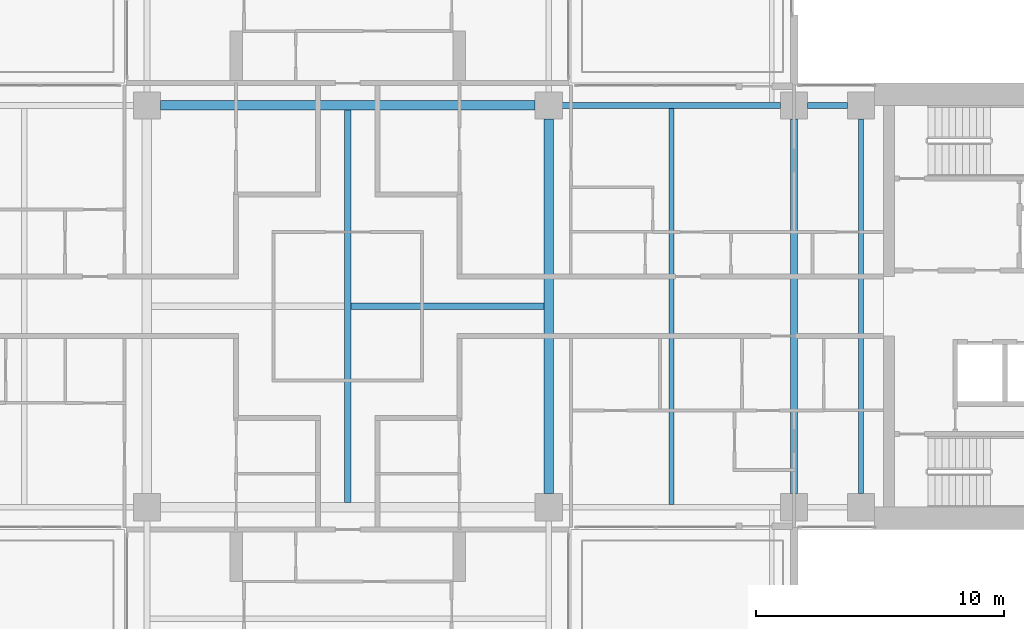
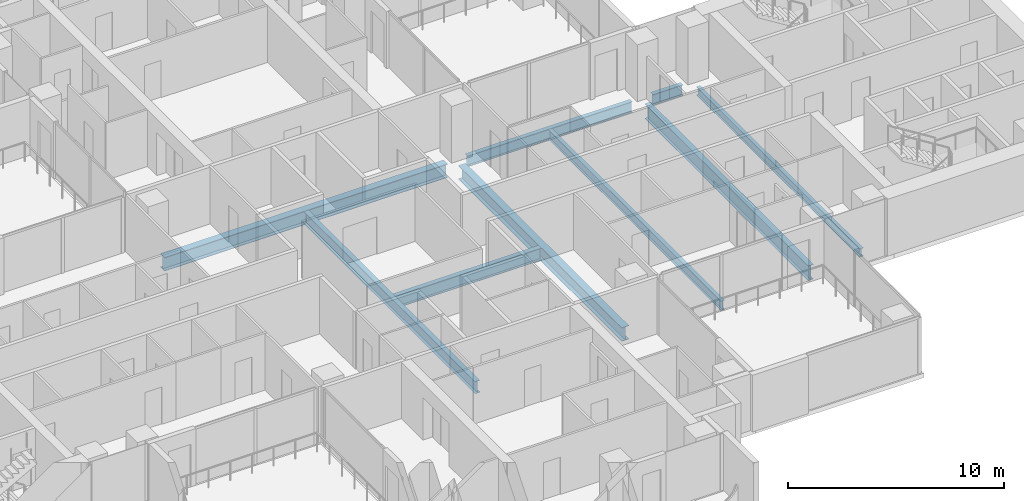
# One storey, part 4 of 19: 9 beams.
"""IFC4 building model written with IfcOpenShell, lengths in metres."""

from ifc_helpers import new_model, si_unit, direction, frame, origin, origin_2d, place, context, subcontext, project, spatial, i_section, extrude, material, material_profile, profile_set, type_object, element, save


model = new_model("IFC4")

# Units and contexts
model_context = context("Model", 3, precision=1e-05, world=origin(), true_north=direction((0.0, 1.0)))
body_context = subcontext(model_context, "Body", "Model", "MODEL_VIEW")
ifc_project = project(units=[si_unit("LENGTHUNIT", "METRE"), si_unit("AREAUNIT", "SQUARE_METRE"), si_unit("VOLUMEUNIT", "CUBIC_METRE"), si_unit("PLANEANGLEUNIT", "RADIAN"), si_unit("MASSUNIT", "GRAM", prefix="KILO")], contexts=[model_context])

# Site, building, storey
site_placement = place(None, origin())
site = spatial("IfcSite", under=ifc_project, at=site_placement, CompositionType="ELEMENT")
building_placement = place(site_placement, origin())
building = spatial("IfcBuilding", under=site, at=building_placement, Name="Perihelion Cross Residences", CompositionType="ELEMENT")
storey_placement = place(building_placement, frame((0.0, 0.0, 151.39990234375)))
storey = spatial("IfcBuildingStorey", under=building, at=storey_placement, Name="L37", CompositionType="ELEMENT", Elevation=151.39990234375)

# Beams
ifc_material_1 = material(Name="Steel S355", Category="steel")
ifc_material_profile_1 = material_profile(ifc_material_1, i_section(OverallWidth=0.194091796875, OverallDepth=0.469970703125, WebThickness=0.0126953125, FlangeThickness=0.0205078125, at=origin_2d()), Name="W460x106")
ifc_profile_set_1 = profile_set([ifc_material_profile_1], Name="Steel S355")
beam_type_1 = type_object("IfcBeamType", Name="Core edge beam W460x106", PredefinedType="BEAM", material=ifc_profile_set_1)
beam_1_placement = place(storey_placement, frame((20.699951171875, -7.550048828125, -0.48486328125), z_axis=(0.0, 1.0, 0.0), x_axis=(-1.0, 0.0, 0.0)))
element("IfcBeam", 1, at=beam_1_placement, inside=storey, type_object=beam_type_1, Name="Core edge beam TB5 L37 no. 2", PredefinedType="BEAM", context=body_context, shape_type="SweptSolid", body=[
    extrude(i_section(OverallWidth=0.194091796875, OverallDepth=0.469970703125, WebThickness=0.0126953125, FlangeThickness=0.0205078125, at=origin_2d()), origin(), (0.0, 0.0, 1.0), 15.10009765625),
])
ifc_material_2 = material(Name="Steel S355", Category="steel")
ifc_material_profile_2 = material_profile(ifc_material_2, i_section(OverallWidth=0.22900390625, OverallDepth=0.612060546875, WebThickness=0.011962890625, FlangeThickness=0.01953125, at=origin_2d()), Name="W610x125")
ifc_profile_set_2 = profile_set([ifc_material_profile_2], Name="Steel S355")
beam_type_2 = type_object("IfcBeamType", Name="Edge beam W610x125", PredefinedType="SPANDREL", material=ifc_profile_set_2)
beam_2_placement = place(storey_placement, frame((20.14990234375, 8.10009765625, -0.555908203125), z_axis=(-1.0, 0.0, 0.0), x_axis=(0.0, -1.0, 0.0)))
element("IfcBeam", 2, at=beam_2_placement, inside=storey, type_object=beam_type_2, Name="Edge beam SB3 L37 no. 13", PredefinedType="SPANDREL", context=body_context, shape_type="SweptSolid", body=[
    extrude(i_section(OverallWidth=0.22900390625, OverallDepth=0.612060546875, WebThickness=0.011962890625, FlangeThickness=0.01953125, at=origin_2d()), origin(), (0.0, 0.0, 1.0), 1.599853515625),
])
beam_3_placement = place(storey_placement, frame((17.449951171875, 8.10009765625, -0.555908203125), z_axis=(-1.0, 0.0, 0.0), x_axis=(0.0, -1.0, 0.0)))
element("IfcBeam", 3, at=beam_3_placement, inside=storey, type_object=beam_type_2, Name="Edge beam SB3 L37 no. 12", PredefinedType="SPANDREL", context=body_context, shape_type="SweptSolid", body=[
    extrude(i_section(OverallWidth=0.22900390625, OverallDepth=0.612060546875, WebThickness=0.011962890625, FlangeThickness=0.01953125, at=origin_2d()), origin(), (0.0, 0.0, 1.0), 8.800048828125),
])
ifc_material_3 = material(Name="Steel S355", Category="steel")
ifc_material_profile_3 = material_profile(ifc_material_3, i_section(OverallWidth=0.2919921875, OverallDepth=0.8359375, WebThickness=0.013916015625, FlangeThickness=0.018798828125, at=origin_2d()), Name="W840x176")
ifc_profile_set_3 = profile_set([ifc_material_profile_3], Name="Steel S355")
beam_type_3 = type_object("IfcBeamType", Name="Floor girder W840x176", PredefinedType="BEAM", material=ifc_profile_set_3)
beam_4_placement = place(storey_placement, frame((18.0, -7.550048828125, -0.66796875), z_axis=(0.0, 1.0, 0.0), x_axis=(-1.0, 0.0, 0.0)))
element("IfcBeam", 4, at=beam_4_placement, inside=storey, type_object=beam_type_3, Name="Girder G3 L37 no. 2", PredefinedType="BEAM", context=body_context, shape_type="SweptSolid", body=[
    extrude(i_section(OverallWidth=0.2919921875, OverallDepth=0.8359375, WebThickness=0.013916015625, FlangeThickness=0.018798828125, at=origin_2d()), origin(), (0.0, 0.0, 1.0), 15.10009765625),
])
ifc_material_4 = material(Name="Steel S355", Category="steel")
ifc_material_profile_4 = material_profile(ifc_material_4, i_section(OverallWidth=0.208984375, OverallDepth=0.532958984375, WebThickness=0.01025390625, FlangeThickness=0.015625, at=origin_2d()), Name="W530x92")
ifc_profile_set_4 = profile_set([ifc_material_profile_4], Name="Steel S355")
beam_type_4 = type_object("IfcBeamType", Name="Floor joist W530x92", PredefinedType="JOIST", material=ifc_profile_set_4)
beam_5_placement = place(storey_placement, frame((13.050048828125, -7.985595703125, -0.516357421875), z_axis=(0.0, 1.0, 0.0), x_axis=(-1.0, 0.0, 0.0)))
element("IfcBeam", 5, at=beam_5_placement, inside=storey, type_object=beam_type_4, Name="Joist J4 L37 no. 2", PredefinedType="JOIST", context=body_context, shape_type="SweptSolid", body=[
    extrude(i_section(OverallWidth=0.208984375, OverallDepth=0.532958984375, WebThickness=0.01025390625, FlangeThickness=0.015625, at=origin_2d()), origin(), (0.0, 0.0, 1.0), 15.97119140625),
])
ifc_material_5 = material(Name="Steel S355", Category="steel")
ifc_material_profile_5 = material_profile(ifc_material_5, i_section(OverallWidth=0.257080078125, OverallDepth=0.693115234375, WebThickness=0.014404296875, FlangeThickness=0.023681640625, at=origin_2d()), Name="W690x170")
ifc_profile_set_5 = profile_set([ifc_material_profile_5], Name="Steel S355")
beam_type_5 = type_object("IfcBeamType", Name="Hub cross beam W690x170", PredefinedType="BEAM", material=ifc_profile_set_5)
beam_6_placement = place(storey_placement, frame((0.0, -7.909423828125, -0.596435546875), z_axis=(0.0, 1.0, 0.0), x_axis=(-1.0, 0.0, 0.0)))
element("IfcBeam", 6, at=beam_6_placement, inside=storey, type_object=beam_type_5, Name="Hub cross beam XB3 L37 no. 1", PredefinedType="BEAM", context=body_context, shape_type="SweptSolid", body=[
    extrude(i_section(OverallWidth=0.257080078125, OverallDepth=0.693115234375, WebThickness=0.014404296875, FlangeThickness=0.023681640625, at=origin_2d()), origin(), (0.0, 0.0, 1.0), 15.81884765625),
])
beam_7_placement = place(storey_placement, frame((0.12841796875, 0.0, -0.596435546875), z_axis=(1.0, 0.0, 0.0), x_axis=(0.0, 1.0, 0.0)))
element("IfcBeam", 7, at=beam_7_placement, inside=storey, type_object=beam_type_5, Name="Hub cross beam XB3 L37 2 no. 1", PredefinedType="BEAM", context=body_context, shape_type="SweptSolid", body=[
    extrude(i_section(OverallWidth=0.257080078125, OverallDepth=0.693115234375, WebThickness=0.014404296875, FlangeThickness=0.023681640625, at=origin_2d()), origin(), (0.0, 0.0, 1.0), 7.781005859375),
])
ifc_material_6 = material(Name="Steel S355", Category="steel")
ifc_material_profile_6 = material_profile(ifc_material_6, i_section(OverallWidth=0.381103515625, OverallDepth=0.77197265625, WebThickness=0.0166015625, FlangeThickness=0.027099609375, at=origin_2d()), Name="W760x257")
ifc_profile_set_6 = profile_set([ifc_material_profile_6], Name="Steel S355")
beam_type_6 = type_object("IfcBeamType", Name="Hub ring girder W760x257", PredefinedType="BEAM", material=ifc_profile_set_6)
for number, where, z_axis, x_axis, name in (
    (8, (8.10009765625, -7.550048828125, -0.635986328125), (0.0, 1.0, 0.0), (-1.0, 0.0, 0.0), "Hub ring girder RG3 L37 no. 3"),
    (9, (7.550048828125, 8.10009765625, -0.635986328125), (-1.0, 0.0, 0.0), (0.0, -1.0, 0.0), "Hub ring girder RG3 L37 no. 4"),
):
    element("IfcBeam", number, at=place(storey_placement, frame(where, z_axis=z_axis, x_axis=x_axis)), inside=storey, type_object=beam_type_6, Name=name, PredefinedType="BEAM", context=body_context, shape_type="SweptSolid", body=[
        extrude(i_section(OverallWidth=0.381103515625, OverallDepth=0.77197265625, WebThickness=0.0166015625, FlangeThickness=0.027099609375, at=origin_2d()), origin(), (0.0, 0.0, 1.0), 15.10009765625),
    ])

save(model, "model.ifc")
